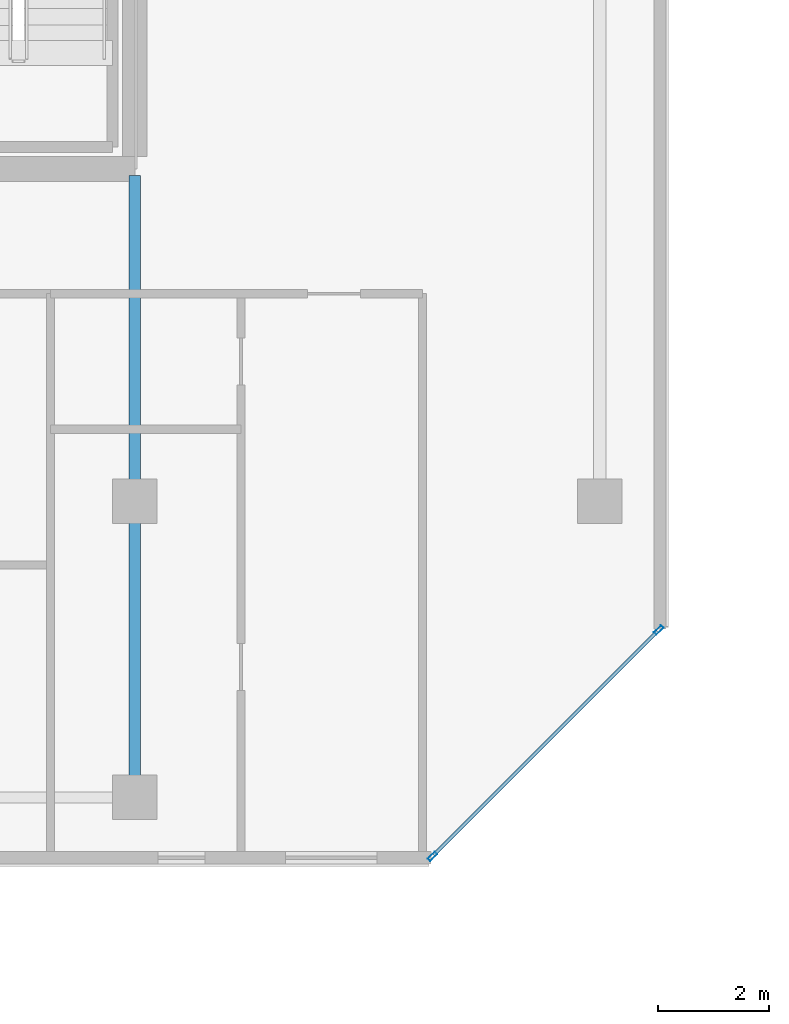
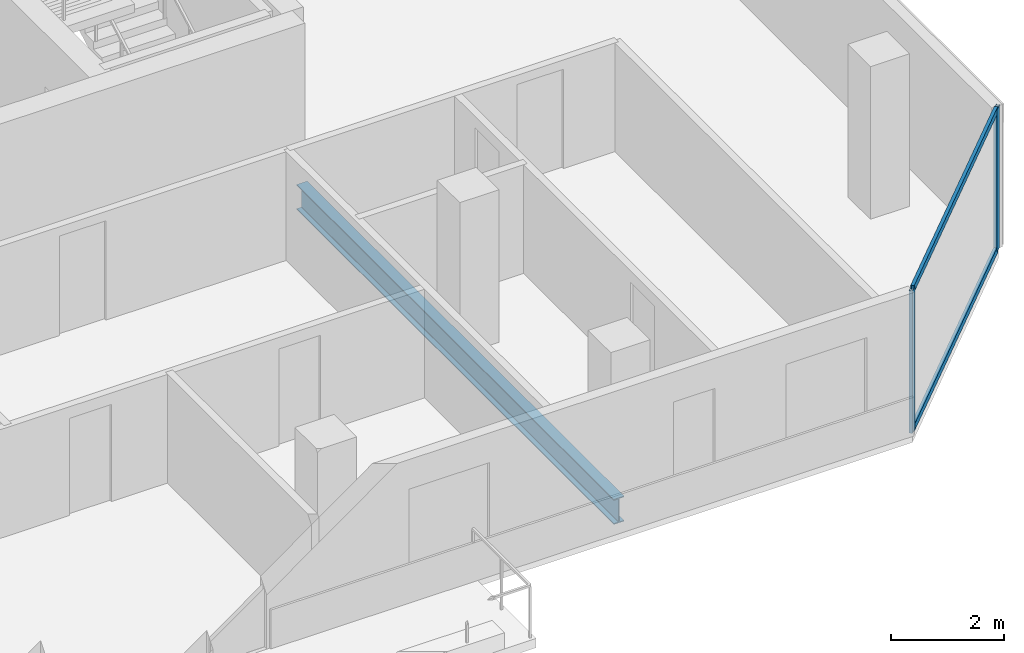
# One storey, part 14 of 29: 4 members, 1 beam, 1 element without a shape of its own.
"""IFC4 building model written with IfcOpenShell, lengths in metres."""

from ifc_helpers import new_model, si_unit, direction, frame, origin, origin_2d, place, context, subcontext, project, spatial, hollow_rectangle, i_section, extrude, material, layer, layer_set, material_profile, profile_set, type_object, element, aggregate, save


model = new_model("IFC4")

# Units and contexts
model_context = context("Model", 3, precision=1e-05, world=origin(), true_north=direction((0.0, 1.0)))
body_context = subcontext(model_context, "Body", "Model", "MODEL_VIEW")
ifc_project = project(units=[si_unit("LENGTHUNIT", "METRE"), si_unit("AREAUNIT", "SQUARE_METRE"), si_unit("VOLUMEUNIT", "CUBIC_METRE"), si_unit("PLANEANGLEUNIT", "RADIAN"), si_unit("MASSUNIT", "GRAM", prefix="KILO")], contexts=[model_context])

# Site, building, storey
site_placement = place(None, origin())
site = spatial("IfcSite", under=ifc_project, at=site_placement, CompositionType="ELEMENT")
building_placement = place(site_placement, origin())
building = spatial("IfcBuilding", under=site, at=building_placement, Name="Tanjung Sevakor Pilgrim Tower", CompositionType="ELEMENT")
storey_placement = place(building_placement, frame((0.0, 0.0, 188.429931640625)))
storey = spatial("IfcBuildingStorey", under=building, at=storey_placement, Name="L52", CompositionType="ELEMENT", Elevation=188.429931640625)

# Beam
ifc_material_1 = material(Name="Steel S355J2", Category="steel")
ifc_material_profile_1 = material_profile(ifc_material_1, i_section(OverallWidth=0.2119140625, OverallDepth=0.54443359375, WebThickness=0.0126953125, FlangeThickness=0.021240234375, FilletRadius=0.0126953125, at=origin_2d()))
ifc_profile_set_1 = profile_set([ifc_material_profile_1], Name="Steel S355J2")
beam_type = type_object("IfcBeamType", Name="BM-B-G5-UB_533x210x122", PredefinedType="BEAM", material=ifc_profile_set_1)
beam_placement = place(storey_placement, frame((90.0, 13.25, -0.4921875), z_axis=(0.0, 1.0, 0.0), x_axis=(-1.0, 0.0, 0.0)))
element("IfcBeam", 1, at=beam_placement, inside=storey, type_object=beam_type, Name="L52 MAIN Girder 013", PredefinedType="BEAM", context=body_context, shape_type="SweptSolid", body=[
    extrude(i_section(OverallWidth=0.2119140625, OverallDepth=0.54443359375, WebThickness=0.0126953125, FlangeThickness=0.021240234375, FilletRadius=0.0126953125, at=origin_2d()), origin(), (0.0, 0.0, 1.0), 11.235595703125),
])

# Curtain wall, members
ifc_material_2 = material(Name="Aluminium 6063-T6 and Low-E Glass", Category="aluminium")
ifc_layer = layer(ifc_material_2, 0.179931640625)
ifc_layer_set = layer_set([ifc_layer], Name="CW-SYS-CHAM")
curtain_wall_type = type_object("IfcCurtainWallType", Name="CW-SYS-CHAM", PredefinedType="NOTDEFINED", material=ifc_layer_set)
curtain_wall_placement = place(storey_placement, origin())
curtain_wall = element("IfcCurtainWall", 2, at=curtain_wall_placement, inside=storey, type_object=curtain_wall_type, Name="L52 Curtain Wall CW-CHM-L52-MAIN-5", PredefinedType="NOTDEFINED")
ifc_material_3 = material(Name="Aluminium 6063-T6", Category="aluminium")
ifc_material_profile_2 = material_profile(ifc_material_3, hollow_rectangle(XDim=0.06494140625, YDim=0.179931640625, WallThickness=0.00390625, at=origin_2d()))
ifc_profile_set_2 = profile_set([ifc_material_profile_2], Name="Aluminium 6063-T6")
member_type_1 = type_object("IfcMemberType", Name="TYPE-CWM-1", PredefinedType="MULLION", material=ifc_profile_set_2)
member_1_placement = place(storey_placement, frame((95.37744140625, 12.182861328125, 0.0), z_axis=(0.0, 0.0, 1.0), x_axis=(-0.707106781187, 0.707106781187, 0.0)))
member_1 = element("IfcMember", 3, at=member_1_placement, type_object=member_type_1, Name="CW-CHM mullion 1", PredefinedType="MULLION", context=body_context, shape_type="SweptSolid", body=[
    extrude(hollow_rectangle(XDim=0.06494140625, YDim=0.179931640625, WallThickness=0.00390625, at=origin_2d()), origin(), (0.0, 0.0, 1.0), 3.080078125),
])
member_2_placement = place(storey_placement, frame((99.467041015625, 16.272705078125, 0.0), z_axis=(0.0, 0.0, 1.0), x_axis=(-0.707106781187, 0.707106781187, 0.0)))
member_2 = element("IfcMember", 4, at=member_2_placement, type_object=member_type_1, Name="CW-CHM mullion 2", PredefinedType="MULLION", context=body_context, shape_type="SweptSolid", body=[
    extrude(hollow_rectangle(XDim=0.06494140625, YDim=0.179931640625, WallThickness=0.00390625, at=origin_2d()), origin(), (0.0, 0.0, 1.0), 3.080078125),
])
ifc_material_4 = material(Name="Aluminium 6063-T6", Category="aluminium")
ifc_material_profile_3 = material_profile(ifc_material_4, hollow_rectangle(XDim=0.06494140625, YDim=0.139892578125, WallThickness=0.00390625, at=origin_2d()))
ifc_profile_set_3 = profile_set([ifc_material_profile_3], Name="Aluminium 6063-T6")
member_type_2 = type_object("IfcMemberType", Name="TYPE-CWT-1", PredefinedType="USERDEFINED", material=ifc_profile_set_3)
member_3_placement = place(storey_placement, frame((95.400390625, 12.2060546875, 0.032470703125), z_axis=(0.707106781187, 0.707106781187, 0.0), x_axis=(-0.707106781187, 0.707106781187, 0.0)))
member_3 = element("IfcMember", 5, at=member_3_placement, type_object=member_type_2, Name="CW-CHM transom 1.1", ObjectType="TRANSOM", PredefinedType="USERDEFINED", context=body_context, shape_type="SweptSolid", body=[
    extrude(hollow_rectangle(XDim=0.06494140625, YDim=0.139892578125, WallThickness=0.00390625, at=origin_2d()), origin(), (0.0, 0.0, 1.0), 5.71875),
])
member_4_placement = place(storey_placement, frame((95.400390625, 12.2060546875, 3.047607421875), z_axis=(0.707106781187, 0.707106781187, 0.0), x_axis=(-0.707106781187, 0.707106781187, 0.0)))
member_4 = element("IfcMember", 6, at=member_4_placement, type_object=member_type_2, Name="CW-CHM transom 1.2", ObjectType="TRANSOM", PredefinedType="USERDEFINED", context=body_context, shape_type="SweptSolid", body=[
    extrude(hollow_rectangle(XDim=0.06494140625, YDim=0.139892578125, WallThickness=0.00390625, at=origin_2d()), origin(), (0.0, 0.0, 1.0), 5.71875),
])
aggregate(curtain_wall, [member_1, member_2, member_3, member_4])

save(model, "model.ifc")
